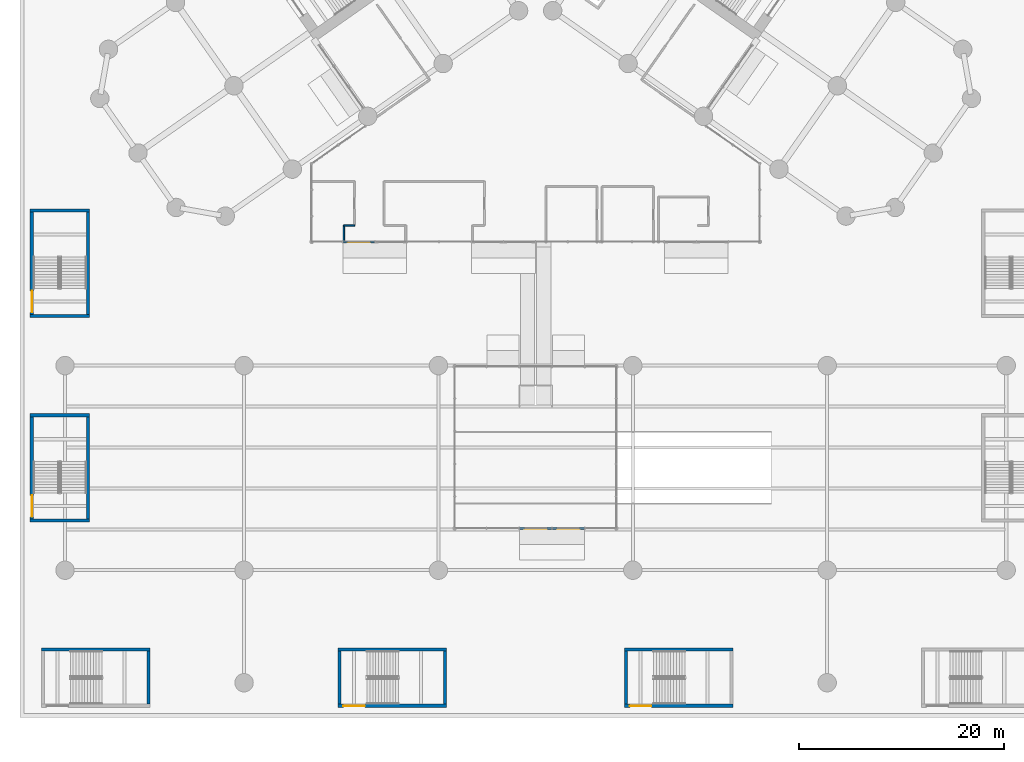
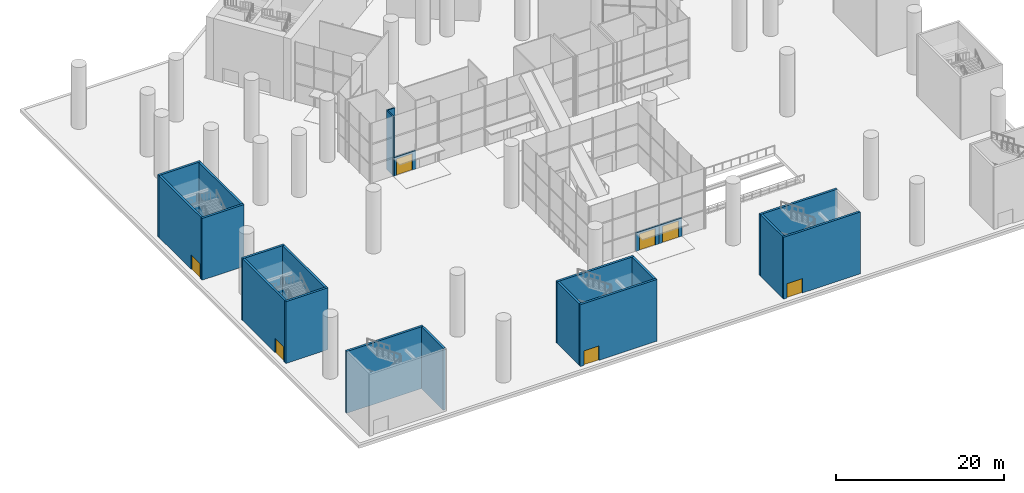
# One storey, part 16 of 37: 22 walls, 7 doors, 7 openings.
"""IFC4 building model written with IfcOpenShell, lengths in metres."""

from ifc_helpers import new_model, si_unit, direction, frame, frame_2d, origin, place, context, subcontext, project, spatial, rectangle, extrude, material, layer, layer_set, type_object, element, fill, save


model = new_model("IFC4")

# Units and contexts
model_context = context("Model", 3, precision=1e-05, world=origin(), true_north=direction((0.0, 1.0)))
body_context = subcontext(model_context, "Body", "Model", "MODEL_VIEW")
ifc_project = project(units=[si_unit("LENGTHUNIT", "METRE"), si_unit("AREAUNIT", "SQUARE_METRE"), si_unit("VOLUMEUNIT", "CUBIC_METRE"), si_unit("PLANEANGLEUNIT", "RADIAN"), si_unit("MASSUNIT", "GRAM", prefix="KILO")], contexts=[model_context])

# Site, building, storey
site_placement = place(None, origin())
site = spatial("IfcSite", under=ifc_project, at=site_placement, CompositionType="ELEMENT")
building_placement = place(site_placement, origin())
building = spatial("IfcBuilding", under=site, at=building_placement, Name="Tel Ilan Convention Tower", CompositionType="ELEMENT")
storey_placement = place(building_placement, origin())
storey = spatial("IfcBuildingStorey", under=building, at=storey_placement, Name="L00", CompositionType="ELEMENT", Elevation=0.0)

# Wall, opening, door
ifc_material_1 = material(Name="Aluminium composite cladding, bronze anodised on steel studs", Category="steel")
ifc_layer_1 = layer(ifc_material_1, 0.199951171875)
ifc_layer_set_1 = layer_set([ifc_layer_1], Name="ENTRANCE BAY WALL 200")
wall_type_1 = type_object("IfcWallType", Name="ENTRANCE BAY WALL 200", PredefinedType="SOLIDWALL", material=ifc_layer_set_1)
wall_1_placement = place(storey_placement, frame((-15.744384765625, -35.89990234375, 0.0), z_axis=(0.0, 0.0, 1.0), x_axis=(-1.0, 0.0, 0.0)))
wall_1 = element("IfcWall", 1, at=wall_1_placement, inside=storey, type_object=wall_type_1, Name="Entrance bay wall", PredefinedType="SOLIDWALL", context=body_context, shape_type="SweptSolid", body=[
    extrude(rectangle(XDim=3.082763671875, YDim=0.199951171875, at=frame_2d((1.54150390625, 0.0))), origin(), (0.0, 0.0, 1.0), 2.699951171875),
])
opening_1_placement = place(wall_1_placement, frame((0.44140625, 0.0, 0.0)))
opening_1 = element("IfcOpeningElement", 2, at=opening_1_placement, cuts=wall_1, Name="Opening EN18", PredefinedType="OPENING", context=body_context, shape_type="SweptSolid", body=[
    extrude(rectangle(XDim=2.199951171875, YDim=2.39990234375, at=frame_2d((1.10009765625, 1.199951171875))), frame((0.0, 0.10986328125, 0.0), z_axis=(0.0, -1.0, 0.0), x_axis=(1.0, 0.0, 0.0)), (0.0, 0.0, 1.0), 0.219970703125),
])
ifc_material_2 = material(Name="Aluminium framed glazed door, bronze anodised", Category="aluminium")
door_type_1 = type_object("IfcDoorType", Name="ENTRANCE DOUBLE DOOR 2200x2400", OperationType="NOTDEFINED", PredefinedType="DOOR", material=ifc_material_2)
door_1_placement = place(opening_1_placement, origin())
door_1 = element("IfcDoor", 3, at=door_1_placement, inside=storey, type_object=door_type_1, Name="Entrance door", OperationType="DOUBLE_DOOR_DOUBLE_SWING", OverallHeight=2.39990234375, OverallWidth=2.199951171875, PredefinedType="DOOR", context=body_context, shape_type="SweptSolid", body=[
    extrude(rectangle(XDim=2.199951171875, YDim=2.39990234375, at=frame_2d((1.10009765625, 1.199951171875))), frame((0.0, 0.02490234375, 0.0), z_axis=(0.0, -1.0, 0.0), x_axis=(1.0, 0.0, 0.0)), (0.0, 0.0, 1.0), 0.050048828125),
])
fill(opening_1, door_1)

wall_2_placement = place(storey_placement, frame((-1.570068359375, -63.89990234375, 0.0), z_axis=(0.0, 0.0, 1.0), x_axis=(1.0, 0.0, 0.0)))
wall_2 = element("IfcWall", 4, at=wall_2_placement, inside=storey, type_object=wall_type_1, Name="Entrance bay wall", PredefinedType="SOLIDWALL", context=body_context, shape_type="SweptSolid", body=[
    extrude(rectangle(XDim=3.14013671875, YDim=0.199951171875, at=frame_2d((1.570068359375, 0.0))), origin(), (0.0, 0.0, 1.0), 2.699951171875),
])
opening_2_placement = place(wall_2_placement, frame((0.469970703125, 0.0, 0.0)))
opening_2 = element("IfcOpeningElement", 5, at=opening_2_placement, cuts=wall_2, Name="Opening EN25", PredefinedType="OPENING", context=body_context, shape_type="SweptSolid", body=[
    extrude(rectangle(XDim=2.199951171875, YDim=2.39990234375, at=frame_2d((1.10009765625, 1.199951171875))), frame((0.0, 0.10986328125, 0.0), z_axis=(0.0, -1.0, 0.0), x_axis=(1.0, 0.0, 0.0)), (0.0, 0.0, 1.0), 0.219970703125),
])
door_2_placement = place(opening_2_placement, origin())
door_2 = element("IfcDoor", 6, at=door_2_placement, inside=storey, type_object=door_type_1, Name="Entrance door", OperationType="DOUBLE_DOOR_DOUBLE_SWING", OverallHeight=2.39990234375, OverallWidth=2.199951171875, PredefinedType="DOOR", context=body_context, shape_type="SweptSolid", body=[
    extrude(rectangle(XDim=2.199951171875, YDim=2.39990234375, at=frame_2d((1.10009765625, 1.199951171875))), frame((0.0, 0.02490234375, 0.0), z_axis=(0.0, -1.0, 0.0), x_axis=(1.0, 0.0, 0.0)), (0.0, 0.0, 1.0), 0.050048828125),
])
fill(opening_2, door_2)

wall_3_placement = place(storey_placement, frame((1.6298828125, -63.89990234375, 0.0), z_axis=(0.0, 0.0, 1.0), x_axis=(1.0, 0.0, 0.0)))
wall_3 = element("IfcWall", 7, at=wall_3_placement, inside=storey, type_object=wall_type_1, Name="Entrance bay wall", PredefinedType="SOLIDWALL", context=body_context, shape_type="SweptSolid", body=[
    extrude(rectangle(XDim=3.14013671875, YDim=0.199951171875, at=frame_2d((1.570068359375, 0.0))), origin(), (0.0, 0.0, 1.0), 2.699951171875),
])
opening_3_placement = place(wall_3_placement, frame((0.469970703125, 0.0, 0.0)))
opening_3 = element("IfcOpeningElement", 8, at=opening_3_placement, cuts=wall_3, Name="Opening EN26", PredefinedType="OPENING", context=body_context, shape_type="SweptSolid", body=[
    extrude(rectangle(XDim=2.199951171875, YDim=2.39990234375, at=frame_2d((1.10009765625, 1.199951171875))), frame((0.0, 0.10986328125, 0.0), z_axis=(0.0, -1.0, 0.0), x_axis=(1.0, 0.0, 0.0)), (0.0, 0.0, 1.0), 0.219970703125),
])
door_3_placement = place(opening_3_placement, origin())
door_3 = element("IfcDoor", 9, at=door_3_placement, inside=storey, type_object=door_type_1, Name="Entrance door", OperationType="DOUBLE_DOOR_DOUBLE_SWING", OverallHeight=2.39990234375, OverallWidth=2.199951171875, PredefinedType="DOOR", context=body_context, shape_type="SweptSolid", body=[
    extrude(rectangle(XDim=2.199951171875, YDim=2.39990234375, at=frame_2d((1.10009765625, 1.199951171875))), frame((0.0, 0.02490234375, 0.0), z_axis=(0.0, -1.0, 0.0), x_axis=(1.0, 0.0, 0.0)), (0.0, 0.0, 1.0), 0.050048828125),
])
fill(opening_3, door_3)

# Walls
ifc_material_3 = material(Name="Plasterboard on Steel Studs", Category="steel")
ifc_layer_2 = layer(ifc_material_3, 0.14990234375)
ifc_layer_set_2 = layer_set([ifc_layer_2], Name="Fire-rated Partition 150 EI 60")
wall_type_2 = type_object("IfcWallType", Name="Fire-rated Partition 150 EI 60", PredefinedType="PARTITIONING", material=ifc_layer_set_2)
wall_4_placement = place(storey_placement, frame((-18.734619140625, -36.0, 0.0), z_axis=(0.0, 0.0, 1.0), x_axis=(0.0, 1.0, 0.0)))
element("IfcWall", 10, at=wall_4_placement, inside=storey, type_object=wall_type_2, Name="Partition 008", PredefinedType="PARTITIONING", context=body_context, shape_type="SweptSolid", body=[
    extrude(rectangle(XDim=1.698974609375, YDim=0.14990234375, at=frame_2d((0.849609375, 0.0))), origin(), (0.0, 0.0, 1.0), 8.60009765625),
])
wall_5_placement = place(storey_placement, frame((-18.734619140625, -34.301025390625, 0.0), z_axis=(0.0, 0.0, 1.0), x_axis=(1.0, 0.0, 0.0)))
element("IfcWall", 11, at=wall_5_placement, inside=storey, type_object=wall_type_2, Name="Partition 009", PredefinedType="PARTITIONING", context=body_context, shape_type="SweptSolid", body=[
    extrude(rectangle(XDim=1.03466796875, YDim=0.14990234375, at=frame_2d((0.517333984375, 0.0))), origin(), (0.0, 0.0, 1.0), 8.60009765625),
])
ifc_material_4 = material(Name="Concrete C40/50", Category="concrete")
ifc_layer_3 = layer(ifc_material_4, 0.300048828125)
ifc_layer_set_3 = layer_set([ifc_layer_3], Name="Stair Enclosure Wall 300 mm C40/50")
wall_type_3 = type_object("IfcWallType", Name="Stair Enclosure Wall 300 mm C40/50", PredefinedType="SOLIDWALL", material=ifc_layer_set_3)
wall_6_placement = place(storey_placement, frame((-48.300048828125, -75.75, 0.0), z_axis=(0.0, 0.0, 1.0), x_axis=(1.0, 0.0, 0.0)))
element("IfcWall", 12, at=wall_6_placement, inside=storey, type_object=wall_type_3, Name="P1 stair enclosure wall N L00", PredefinedType="SOLIDWALL", context=body_context, shape_type="SweptSolid", body=[
    extrude(rectangle(XDim=10.60009765625, YDim=0.300048828125, at=frame_2d((5.300048828125, 0.0))), origin(), (0.0, 0.0, 1.0), 9.0),
])
wall_7_placement = place(storey_placement, frame((-37.85009765625, -81.10009765625, 0.0), z_axis=(0.0, 0.0, 1.0), x_axis=(0.0, 1.0, 0.0)))
element("IfcWall", 13, at=wall_7_placement, inside=storey, type_object=wall_type_3, Name="P1 stair enclosure wall E L00", PredefinedType="SOLIDWALL", context=body_context, shape_type="SweptSolid", body=[
    extrude(rectangle(XDim=5.2001953125, YDim=0.300048828125, at=frame_2d((2.60009765625, 0.0))), origin(), (0.0, 0.0, 1.0), 9.0),
])

# Wall, opening, door
wall_8_placement = place(storey_placement, frame((-19.300048828125, -81.25, 0.0), z_axis=(0.0, 0.0, 1.0), x_axis=(1.0, 0.0, 0.0)))
wall_8 = element("IfcWall", 14, at=wall_8_placement, inside=storey, type_object=wall_type_3, Name="P2 stair enclosure wall S L00", PredefinedType="SOLIDWALL", context=body_context, shape_type="SweptSolid", body=[
    extrude(rectangle(XDim=10.60009765625, YDim=0.300048828125, at=frame_2d((5.300048828125, 0.0))), origin(), (0.0, 0.0, 1.0), 9.0),
])
opening_4_placement = place(wall_8_placement, frame((0.512451171875, 0.0, 0.0)))
opening_4 = element("IfcOpeningElement", 15, at=opening_4_placement, cuts=wall_8, Name="Opening E6", PredefinedType="OPENING", context=body_context, shape_type="SweptSolid", body=[
    extrude(rectangle(XDim=2.10009765625, YDim=2.10009765625, at=frame_2d((1.050048828125, 1.050048828125))), frame((0.0, 0.159912109375, 0.0), z_axis=(0.0, -1.0, 0.0), x_axis=(1.0, 0.0, 0.0)), (0.0, 0.0, 1.0), 0.320068359375),
])
ifc_material_5 = material(Name="Galvanised Steel Door Leaf", Category="steel")
door_type_2 = type_object("IfcDoorType", Name="Stair Fire Door 2100 x 2100 FD60S", OperationType="NOTDEFINED", PredefinedType="DOOR", material=ifc_material_5)
door_4_placement = place(opening_4_placement, origin())
door_4 = element("IfcDoor", 16, at=door_4_placement, inside=storey, type_object=door_type_2, Name="Stair P2 exit discharge door", OperationType="DOUBLE_DOOR_SINGLE_SWING", OverallHeight=2.10009765625, OverallWidth=2.10009765625, PredefinedType="DOOR", context=body_context, shape_type="SweptSolid", body=[
    extrude(rectangle(XDim=2.10009765625, YDim=2.10009765625, at=frame_2d((1.050048828125, 1.050048828125))), frame((0.0, 0.02490234375, 0.0), z_axis=(0.0, -1.0, 0.0), x_axis=(1.0, 0.0, 0.0)), (0.0, 0.0, 1.0), 0.050048828125),
])
fill(opening_4, door_4)

# Walls
wall_9_placement = place(storey_placement, frame((-19.300048828125, -75.75, 0.0), z_axis=(0.0, 0.0, 1.0), x_axis=(1.0, 0.0, 0.0)))
element("IfcWall", 17, at=wall_9_placement, inside=storey, type_object=wall_type_3, Name="P2 stair enclosure wall N L00", PredefinedType="SOLIDWALL", context=body_context, shape_type="SweptSolid", body=[
    extrude(rectangle(XDim=10.60009765625, YDim=0.300048828125, at=frame_2d((5.300048828125, 0.0))), origin(), (0.0, 0.0, 1.0), 9.0),
])
for number, where, z_axis, x_axis, name in (
    (18, (-19.14990234375, -81.10009765625, 0.0), (0.0, 0.0, 1.0), (0.0, 1.0, 0.0), "P2 stair enclosure wall W L00"),
    (19, (-8.85009765625, -81.10009765625, 0.0), (0.0, 0.0, 1.0), (0.0, 1.0, 0.0), "P2 stair enclosure wall E L00"),
):
    element("IfcWall", number, at=place(storey_placement, frame(where, z_axis=z_axis, x_axis=x_axis)), inside=storey, type_object=wall_type_3, Name=name, PredefinedType="SOLIDWALL", context=body_context, shape_type="SweptSolid", body=[
        extrude(rectangle(XDim=5.2001953125, YDim=0.300048828125, at=frame_2d((2.60009765625, 0.0))), origin(), (0.0, 0.0, 1.0), 9.0),
    ])

# Wall, opening, door
wall_10_placement = place(storey_placement, frame((8.699951171875, -81.25, 0.0), z_axis=(0.0, 0.0, 1.0), x_axis=(1.0, 0.0, 0.0)))
wall_10 = element("IfcWall", 20, at=wall_10_placement, inside=storey, type_object=wall_type_3, Name="P3 stair enclosure wall S L00", PredefinedType="SOLIDWALL", context=body_context, shape_type="SweptSolid", body=[
    extrude(rectangle(XDim=10.60009765625, YDim=0.300048828125, at=frame_2d((5.300048828125, 0.0))), origin(), (0.0, 0.0, 1.0), 9.0),
])
opening_5_placement = place(wall_10_placement, frame((0.512451171875, 0.0, 0.0)))
opening_5 = element("IfcOpeningElement", 21, at=opening_5_placement, cuts=wall_10, Name="Opening E7", PredefinedType="OPENING", context=body_context, shape_type="SweptSolid", body=[
    extrude(rectangle(XDim=2.10009765625, YDim=2.10009765625, at=frame_2d((1.050048828125, 1.050048828125))), frame((0.0, 0.159912109375, 0.0), z_axis=(0.0, -1.0, 0.0), x_axis=(1.0, 0.0, 0.0)), (0.0, 0.0, 1.0), 0.320068359375),
])
door_5_placement = place(opening_5_placement, origin())
door_5 = element("IfcDoor", 22, at=door_5_placement, inside=storey, type_object=door_type_2, Name="Stair P3 exit discharge door", OperationType="DOUBLE_DOOR_SINGLE_SWING", OverallHeight=2.10009765625, OverallWidth=2.10009765625, PredefinedType="DOOR", context=body_context, shape_type="SweptSolid", body=[
    extrude(rectangle(XDim=2.10009765625, YDim=2.10009765625, at=frame_2d((1.050048828125, 1.050048828125))), frame((0.0, 0.02490234375, 0.0), z_axis=(0.0, -1.0, 0.0), x_axis=(1.0, 0.0, 0.0)), (0.0, 0.0, 1.0), 0.050048828125),
])
fill(opening_5, door_5)

# Walls
wall_11_placement = place(storey_placement, frame((8.699951171875, -75.75, 0.0), z_axis=(0.0, 0.0, 1.0), x_axis=(1.0, 0.0, 0.0)))
element("IfcWall", 23, at=wall_11_placement, inside=storey, type_object=wall_type_3, Name="P3 stair enclosure wall N L00", PredefinedType="SOLIDWALL", context=body_context, shape_type="SweptSolid", body=[
    extrude(rectangle(XDim=10.60009765625, YDim=0.300048828125, at=frame_2d((5.300048828125, 0.0))), origin(), (0.0, 0.0, 1.0), 9.0),
])
wall_12_placement = place(storey_placement, frame((8.85009765625, -81.10009765625, 0.0), z_axis=(0.0, 0.0, 1.0), x_axis=(0.0, 1.0, 0.0)))
element("IfcWall", 24, at=wall_12_placement, inside=storey, type_object=wall_type_3, Name="P3 stair enclosure wall W L00", PredefinedType="SOLIDWALL", context=body_context, shape_type="SweptSolid", body=[
    extrude(rectangle(XDim=5.2001953125, YDim=0.300048828125, at=frame_2d((2.60009765625, 0.0))), origin(), (0.0, 0.0, 1.0), 9.0),
])
for number, where, z_axis, x_axis, name in (
    (25, (-49.39990234375, -63.14990234375, 0.0), (0.0, 0.0, 1.0), (1.0, 0.0, 0.0), "P5 stair enclosure wall S L00"),
    (26, (-49.39990234375, -52.85009765625, 0.0), (0.0, 0.0, 1.0), (1.0, 0.0, 0.0), "P5 stair enclosure wall N L00"),
):
    element("IfcWall", number, at=place(storey_placement, frame(where, z_axis=z_axis, x_axis=x_axis)), inside=storey, type_object=wall_type_3, Name=name, PredefinedType="SOLIDWALL", context=body_context, shape_type="SweptSolid", body=[
        extrude(rectangle(XDim=5.7998046875, YDim=0.300048828125, at=frame_2d((2.89990234375, 0.0))), origin(), (0.0, 0.0, 1.0), 9.0),
    ])

# Wall, opening, door
wall_13_placement = place(storey_placement, frame((-49.25, -63.0, 0.0), z_axis=(0.0, 0.0, 1.0), x_axis=(0.0, 1.0, 0.0)))
wall_13 = element("IfcWall", 27, at=wall_13_placement, inside=storey, type_object=wall_type_3, Name="P5 stair enclosure wall W L00", PredefinedType="SOLIDWALL", context=body_context, shape_type="SweptSolid", body=[
    extrude(rectangle(XDim=10.0, YDim=0.300048828125, at=frame_2d((5.0, 0.0))), origin(), (0.0, 0.0, 1.0), 9.0),
])
opening_6_placement = place(wall_13_placement, frame((0.21240234375, 0.0, 0.0)))
opening_6 = element("IfcOpeningElement", 28, at=opening_6_placement, cuts=wall_13, Name="Opening E9", PredefinedType="OPENING", context=body_context, shape_type="SweptSolid", body=[
    extrude(rectangle(XDim=2.10009765625, YDim=2.10009765625, at=frame_2d((1.050048828125, 1.050048828125))), frame((0.0, 0.159912109375, 0.0), z_axis=(0.0, -1.0, 0.0), x_axis=(1.0, 0.0, 0.0)), (0.0, 0.0, 1.0), 0.320068359375),
])
door_6_placement = place(opening_6_placement, origin())
door_6 = element("IfcDoor", 29, at=door_6_placement, inside=storey, type_object=door_type_2, Name="Stair P5 exit discharge door", OperationType="DOUBLE_DOOR_SINGLE_SWING", OverallHeight=2.10009765625, OverallWidth=2.10009765625, PredefinedType="DOOR", context=body_context, shape_type="SweptSolid", body=[
    extrude(rectangle(XDim=2.10009765625, YDim=2.10009765625, at=frame_2d((1.050048828125, 1.050048828125))), frame((0.0, 0.02490234375, 0.0), z_axis=(0.0, -1.0, 0.0), x_axis=(1.0, 0.0, 0.0)), (0.0, 0.0, 1.0), 0.050048828125),
])
fill(opening_6, door_6)

# Walls
wall_14_placement = place(storey_placement, frame((-43.75, -63.0, 0.0), z_axis=(0.0, 0.0, 1.0), x_axis=(0.0, 1.0, 0.0)))
element("IfcWall", 30, at=wall_14_placement, inside=storey, type_object=wall_type_3, Name="P5 stair enclosure wall E L00", PredefinedType="SOLIDWALL", context=body_context, shape_type="SweptSolid", body=[
    extrude(rectangle(XDim=10.0, YDim=0.300048828125, at=frame_2d((5.0, 0.0))), origin(), (0.0, 0.0, 1.0), 9.0),
])
for number, where, z_axis, x_axis, name in (
    (31, (-49.39990234375, -43.14990234375, 0.0), (0.0, 0.0, 1.0), (1.0, 0.0, 0.0), "P7 stair enclosure wall S L00"),
    (32, (-49.39990234375, -32.85009765625, 0.0), (0.0, 0.0, 1.0), (1.0, 0.0, 0.0), "P7 stair enclosure wall N L00"),
):
    element("IfcWall", number, at=place(storey_placement, frame(where, z_axis=z_axis, x_axis=x_axis)), inside=storey, type_object=wall_type_3, Name=name, PredefinedType="SOLIDWALL", context=body_context, shape_type="SweptSolid", body=[
        extrude(rectangle(XDim=5.7998046875, YDim=0.300048828125, at=frame_2d((2.89990234375, 0.0))), origin(), (0.0, 0.0, 1.0), 9.0),
    ])

# Wall, opening, door
wall_15_placement = place(storey_placement, frame((-49.25, -43.0, 0.0), z_axis=(0.0, 0.0, 1.0), x_axis=(0.0, 1.0, 0.0)))
wall_15 = element("IfcWall", 33, at=wall_15_placement, inside=storey, type_object=wall_type_3, Name="P7 stair enclosure wall W L00", PredefinedType="SOLIDWALL", context=body_context, shape_type="SweptSolid", body=[
    extrude(rectangle(XDim=10.0, YDim=0.300048828125, at=frame_2d((5.0, 0.0))), origin(), (0.0, 0.0, 1.0), 9.0),
])
opening_7_placement = place(wall_15_placement, frame((0.21240234375, 0.0, 0.0)))
opening_7 = element("IfcOpeningElement", 34, at=opening_7_placement, cuts=wall_15, Name="Opening E11", PredefinedType="OPENING", context=body_context, shape_type="SweptSolid", body=[
    extrude(rectangle(XDim=2.10009765625, YDim=2.10009765625, at=frame_2d((1.050048828125, 1.050048828125))), frame((0.0, 0.159912109375, 0.0), z_axis=(0.0, -1.0, 0.0), x_axis=(1.0, 0.0, 0.0)), (0.0, 0.0, 1.0), 0.320068359375),
])
door_7_placement = place(opening_7_placement, origin())
door_7 = element("IfcDoor", 35, at=door_7_placement, inside=storey, type_object=door_type_2, Name="Stair P7 exit discharge door", OperationType="DOUBLE_DOOR_SINGLE_SWING", OverallHeight=2.10009765625, OverallWidth=2.10009765625, PredefinedType="DOOR", context=body_context, shape_type="SweptSolid", body=[
    extrude(rectangle(XDim=2.10009765625, YDim=2.10009765625, at=frame_2d((1.050048828125, 1.050048828125))), frame((0.0, 0.02490234375, 0.0), z_axis=(0.0, -1.0, 0.0), x_axis=(1.0, 0.0, 0.0)), (0.0, 0.0, 1.0), 0.050048828125),
])
fill(opening_7, door_7)

# Wall
wall_16_placement = place(storey_placement, frame((-43.75, -43.0, 0.0), z_axis=(0.0, 0.0, 1.0), x_axis=(0.0, 1.0, 0.0)))
element("IfcWall", 36, at=wall_16_placement, inside=storey, type_object=wall_type_3, Name="P7 stair enclosure wall E L00", PredefinedType="SOLIDWALL", context=body_context, shape_type="SweptSolid", body=[
    extrude(rectangle(XDim=10.0, YDim=0.300048828125, at=frame_2d((5.0, 0.0))), origin(), (0.0, 0.0, 1.0), 9.0),
])

save(model, "model.ifc")
